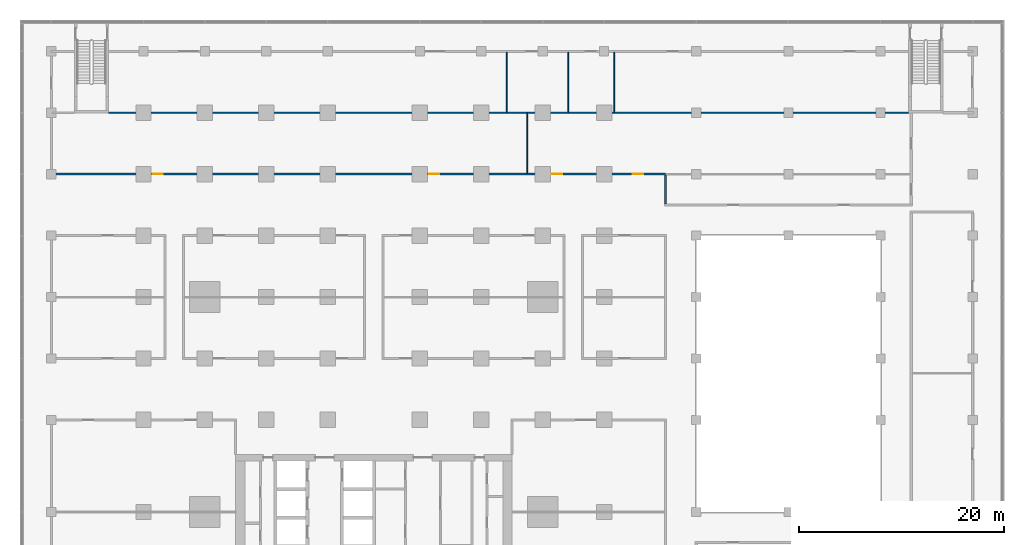
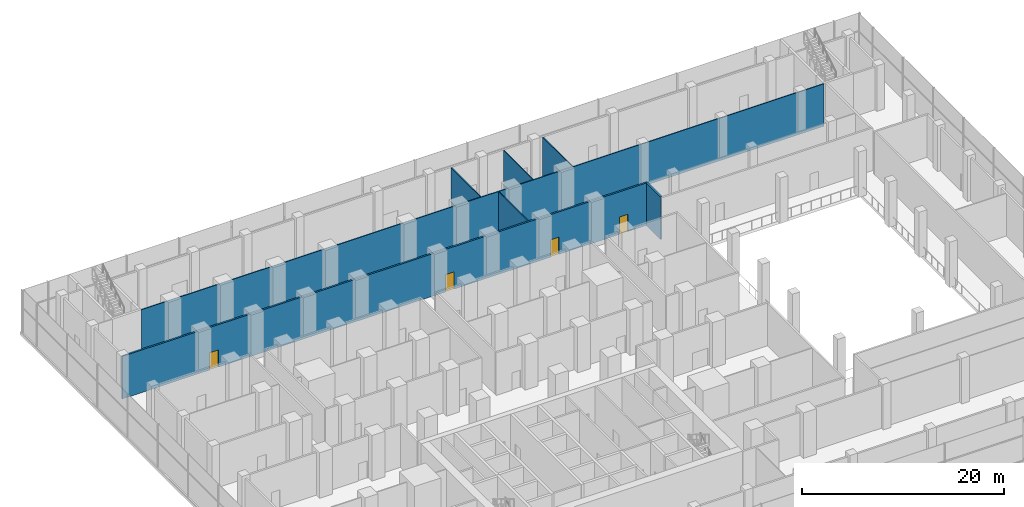
# One storey, part 16 of 22: 7 walls, 4 doors, 4 openings.
"""IFC4 building model written with IfcOpenShell, lengths in metres."""

from ifc_helpers import new_model, si_unit, direction, frame, frame_2d, origin, place, context, subcontext, project, spatial, rectangle, extrude, material, layer, layer_set, type_object, element, fill, save


model = new_model("IFC4")

# Units and contexts
model_context = context("Model", 3, precision=1e-05, world=origin(), true_north=direction((0.0, 1.0)))
body_context = subcontext(model_context, "Body", "Model", "MODEL_VIEW")
ifc_project = project(units=[si_unit("LENGTHUNIT", "METRE"), si_unit("AREAUNIT", "SQUARE_METRE"), si_unit("VOLUMEUNIT", "CUBIC_METRE"), si_unit("PLANEANGLEUNIT", "RADIAN"), si_unit("MASSUNIT", "GRAM", prefix="KILO")], contexts=[model_context])

# Site, building, storey
site_placement = place(None, origin())
site = spatial("IfcSite", under=ifc_project, at=site_placement, CompositionType="ELEMENT")
building_placement = place(site_placement, origin())
building = spatial("IfcBuilding", under=site, at=building_placement, Name="Finial Court Residences", CompositionType="ELEMENT")
storey_placement = place(building_placement, frame((0.0, 0.0, 8.0)))
storey = spatial("IfcBuildingStorey", under=building, at=storey_placement, Name="L01", CompositionType="ELEMENT", Elevation=8.0)

# Wall, openings, doors
ifc_material_1 = material(Name="Gypsum board")
ifc_layer_1 = layer(ifc_material_1, 0.02490234375)
ifc_material_2 = material(Name="Acoustic mineral wool in double frame")
ifc_layer_2 = layer(ifc_material_2, 0.14990234375)
ifc_layer_3 = layer(ifc_material_1, 0.02490234375)
ifc_layer_set_1 = layer_set([ifc_layer_1, ifc_layer_2, ifc_layer_3], Name="Corridor wall 200, 1 hour")
wall_type_1 = type_object("IfcWallType", Name="Corridor wall 200, 1 hour", PredefinedType="PARTITIONING", material=ifc_layer_set_1)
wall_1_placement = place(storey_placement, frame((-31.60009765625, 19.5, 0.0), z_axis=(0.0, 0.0, 1.0), x_axis=(1.0, 0.0, 0.0)))
wall_1 = element("IfcWall", 1, at=wall_1_placement, inside=storey, type_object=wall_type_1, Name="Partition L01-032", PredefinedType="PARTITIONING", context=body_context, shape_type="SweptSolid", body=[
    extrude(rectangle(XDim=60.10009765625, YDim=0.199951171875, at=frame_2d((30.050048828125, 0.0))), origin(), (0.0, 0.0, 1.0), 5.14990234375),
])
opening_1_placement = place(wall_1_placement, frame((10.0, 0.0, 0.0)))
opening_1 = element("IfcOpeningElement", 2, at=opening_1_placement, cuts=wall_1, Name="Opening L01-D027", PredefinedType="OPENING", context=body_context, shape_type="SweptSolid", body=[
    extrude(rectangle(XDim=1.0, YDim=2.10009765625, at=frame_2d((0.5, 1.050048828125))), frame((0.0, 0.10986328125, 0.0), z_axis=(0.0, -1.0, 0.0), x_axis=(1.0, 0.0, 0.0)), (0.0, 0.0, 1.0), 0.219970703125),
])
opening_2_placement = place(wall_1_placement, frame((37.0, 0.0, 0.0)))
opening_2 = element("IfcOpeningElement", 3, at=opening_2_placement, cuts=wall_1, Name="Opening L01-D028", PredefinedType="OPENING", context=body_context, shape_type="SweptSolid", body=[
    extrude(rectangle(XDim=1.0, YDim=2.10009765625, at=frame_2d((0.5, 1.050048828125))), frame((0.0, 0.10986328125, 0.0), z_axis=(0.0, -1.0, 0.0), x_axis=(1.0, 0.0, 0.0)), (0.0, 0.0, 1.0), 0.219970703125),
])
opening_3_placement = place(wall_1_placement, frame((49.0, 0.0, 0.0)))
opening_3 = element("IfcOpeningElement", 4, at=opening_3_placement, cuts=wall_1, Name="Opening L01-D029", PredefinedType="OPENING", context=body_context, shape_type="SweptSolid", body=[
    extrude(rectangle(XDim=1.0, YDim=2.10009765625, at=frame_2d((0.5, 1.050048828125))), frame((0.0, 0.10986328125, 0.0), z_axis=(0.0, -1.0, 0.0), x_axis=(1.0, 0.0, 0.0)), (0.0, 0.0, 1.0), 0.219970703125),
])
opening_4_placement = place(wall_1_placement, frame((56.89990234375, 0.0, 0.0)))
opening_4 = element("IfcOpeningElement", 5, at=opening_4_placement, cuts=wall_1, Name="Opening L01-D030", PredefinedType="OPENING", context=body_context, shape_type="SweptSolid", body=[
    extrude(rectangle(XDim=1.0, YDim=2.10009765625, at=frame_2d((0.5, 1.050048828125))), frame((0.0, 0.10986328125, 0.0), z_axis=(0.0, -1.0, 0.0), x_axis=(1.0, 0.0, 0.0)), (0.0, 0.0, 1.0), 0.219970703125),
])
ifc_material_3 = material(Name="Timber door leaf in hollow metal frame", Category="wood")
door_type = type_object("IfcDoorType", Name="Fire door set 1000 x 2100, 30 minutes", OperationType="SINGLE_SWING_LEFT", PredefinedType="DOOR", material=ifc_material_3)
door_1_placement = place(opening_1_placement, origin())
door_1 = element("IfcDoor", 6, at=door_1_placement, inside=storey, type_object=door_type, Name="Door L01-D027", OperationType="SINGLE_SWING_RIGHT", OverallHeight=2.10009765625, OverallWidth=1.0, PredefinedType="DOOR", context=body_context, shape_type="SweptSolid", body=[
    extrude(rectangle(XDim=1.0, YDim=2.10009765625, at=frame_2d((0.5, 1.050048828125))), frame((0.0, 0.02490234375, 0.0), z_axis=(0.0, -1.0, 0.0), x_axis=(1.0, 0.0, 0.0)), (0.0, 0.0, 1.0), 0.050048828125),
])
fill(opening_1, door_1)
door_2_placement = place(opening_2_placement, origin())
door_2 = element("IfcDoor", 7, at=door_2_placement, inside=storey, type_object=door_type, Name="Door L01-D028", OperationType="SINGLE_SWING_LEFT", OverallHeight=2.10009765625, OverallWidth=1.0, PredefinedType="DOOR", context=body_context, shape_type="SweptSolid", body=[
    extrude(rectangle(XDim=1.0, YDim=2.10009765625, at=frame_2d((0.5, 1.050048828125))), frame((0.0, 0.02490234375, 0.0), z_axis=(0.0, -1.0, 0.0), x_axis=(1.0, 0.0, 0.0)), (0.0, 0.0, 1.0), 0.050048828125),
])
fill(opening_2, door_2)
door_3_placement = place(opening_3_placement, origin())
door_3 = element("IfcDoor", 8, at=door_3_placement, inside=storey, type_object=door_type, Name="Door L01-D029", OperationType="SINGLE_SWING_LEFT", OverallHeight=2.10009765625, OverallWidth=1.0, PredefinedType="DOOR", context=body_context, shape_type="SweptSolid", body=[
    extrude(rectangle(XDim=1.0, YDim=2.10009765625, at=frame_2d((0.5, 1.050048828125))), frame((0.0, 0.02490234375, 0.0), z_axis=(0.0, -1.0, 0.0), x_axis=(1.0, 0.0, 0.0)), (0.0, 0.0, 1.0), 0.050048828125),
])
fill(opening_3, door_3)
door_4_placement = place(opening_4_placement, origin())
door_4 = element("IfcDoor", 9, at=door_4_placement, inside=storey, type_object=door_type, Name="Door L01-D030", OperationType="SINGLE_SWING_LEFT", OverallHeight=2.10009765625, OverallWidth=1.0, PredefinedType="DOOR", context=body_context, shape_type="SweptSolid", body=[
    extrude(rectangle(XDim=1.0, YDim=2.10009765625, at=frame_2d((0.5, 1.050048828125))), frame((0.0, 0.02490234375, 0.0), z_axis=(0.0, -1.0, 0.0), x_axis=(1.0, 0.0, 0.0)), (0.0, 0.0, 1.0), 0.050048828125),
])
fill(opening_4, door_4)

# Walls
wall_2_placement = place(storey_placement, frame((28.5, 16.60009765625, 0.0), z_axis=(0.0, 0.0, 1.0), x_axis=(0.0, 1.0, 0.0)))
element("IfcWall", 10, at=wall_2_placement, inside=storey, type_object=wall_type_1, Name="Partition L01-061", PredefinedType="PARTITIONING", context=body_context, shape_type="SweptSolid", body=[
    extrude(rectangle(XDim=2.7998046875, YDim=0.199951171875, at=frame_2d((1.39990234375, 0.0))), origin(), (0.0, 0.0, 1.0), 5.14990234375),
])
ifc_layer_4 = layer(ifc_material_1, 0.012451171875)
ifc_material_4 = material(Name="Mineral wool in light-gauge frame")
ifc_layer_5 = layer(ifc_material_4, 0.074951171875)
ifc_layer_6 = layer(ifc_material_1, 0.012451171875)
ifc_layer_set_2 = layer_set([ifc_layer_4, ifc_layer_5, ifc_layer_6], Name="Gypsum board partition 100")
wall_type_2 = type_object("IfcWallType", Name="Gypsum board partition 100", PredefinedType="PARTITIONING", material=ifc_layer_set_2)
wall_3_placement = place(storey_placement, frame((-25.89990234375, 25.5, 0.0), z_axis=(0.0, 0.0, 1.0), x_axis=(1.0, 0.0, 0.0)))
element("IfcWall", 11, at=wall_3_placement, inside=storey, type_object=wall_type_2, Name="Partition L01-036", PredefinedType="PARTITIONING", context=body_context, shape_type="SweptSolid", body=[
    extrude(rectangle(XDim=78.14990234375, YDim=0.10009765625, at=frame_2d((39.074951171875, 0.0))), origin(), (0.0, 0.0, 1.0), 5.14990234375),
])
for number, where, z_axis, x_axis, name in (
    (12, (13.0, 25.550048828125, 0.0), (0.0, 0.0, 1.0), (0.0, 1.0, 0.0), "Partition L01-050"),
    (13, (15.0, 19.60009765625, 0.0), (0.0, 0.0, 1.0), (0.0, 1.0, 0.0), "Partition L01-053"),
    (14, (19.0, 25.550048828125, 0.0), (0.0, 0.0, 1.0), (0.0, 1.0, 0.0), "Partition L01-056"),
    (15, (23.5, 25.550048828125, 0.0), (0.0, 0.0, 1.0), (0.0, 1.0, 0.0), "Partition L01-058"),
):
    element("IfcWall", number, at=place(storey_placement, frame(where, z_axis=z_axis, x_axis=x_axis)), inside=storey, type_object=wall_type_2, Name=name, PredefinedType="PARTITIONING", context=body_context, shape_type="SweptSolid", body=[
        extrude(rectangle(XDim=5.849853515625, YDim=0.10009765625, at=frame_2d((2.9248046875, 0.0))), origin(), (0.0, 0.0, 1.0), 5.14990234375),
    ])

save(model, "model.ifc")
